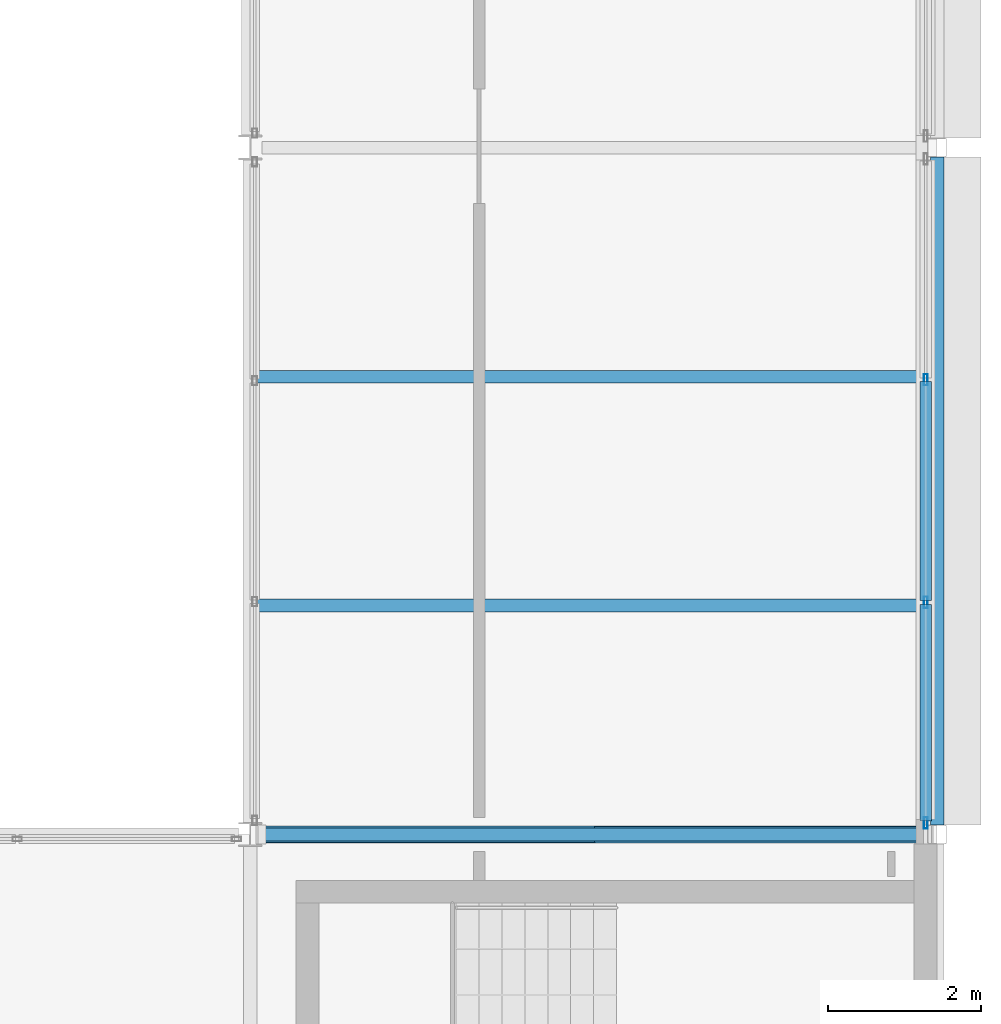
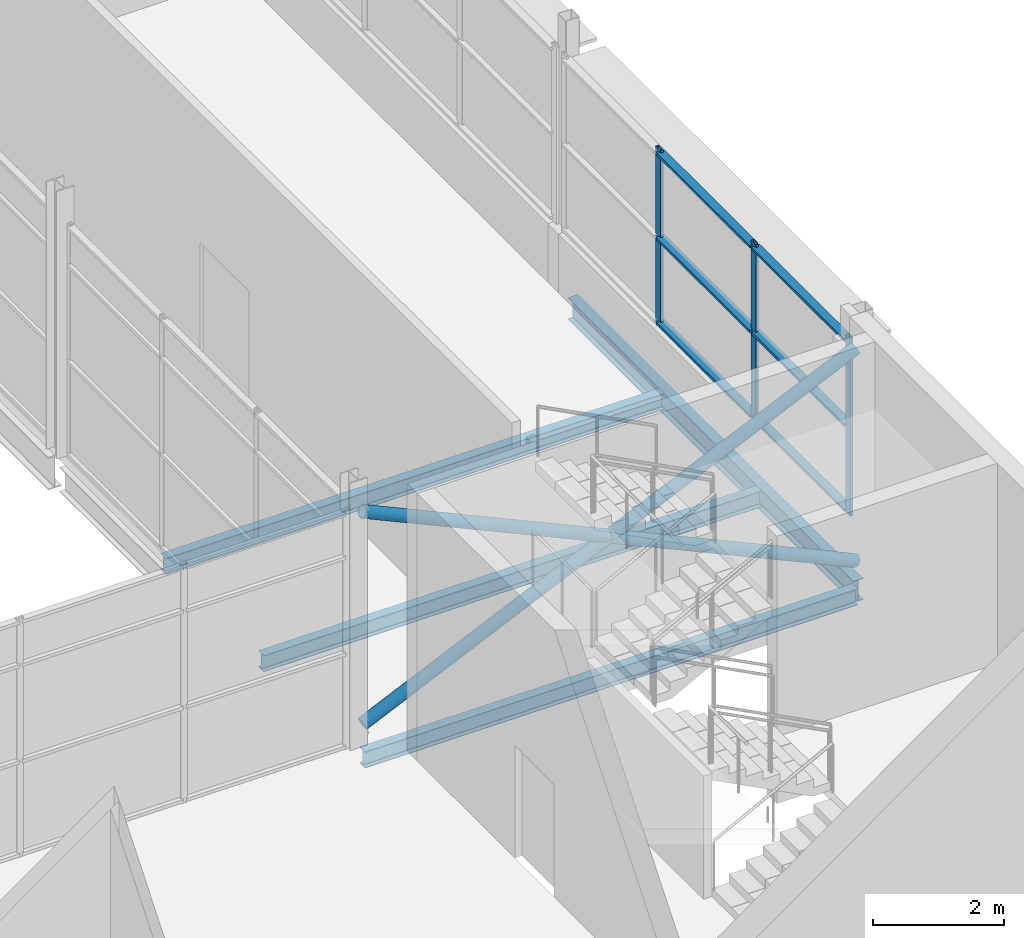
# One storey, part 43 of 94: 11 members, 4 beams, 1 element without a shape of its own.
"""IFC4 building model written with IfcOpenShell, lengths in metres."""

from ifc_helpers import new_model, si_unit, direction, frame, origin, origin_2d, place, context, subcontext, project, spatial, hollow_rectangle, hollow_circle, i_section, extrude, material, layer, layer_set, material_profile, profile_set, type_object, element, aggregate, save


model = new_model("IFC4")

# Units and contexts
model_context = context("Model", 3, precision=1e-05, world=origin(), true_north=direction((0.0, 1.0)))
body_context = subcontext(model_context, "Body", "Model", "MODEL_VIEW")
ifc_project = project(units=[si_unit("LENGTHUNIT", "METRE"), si_unit("AREAUNIT", "SQUARE_METRE"), si_unit("VOLUMEUNIT", "CUBIC_METRE"), si_unit("PLANEANGLEUNIT", "RADIAN"), si_unit("MASSUNIT", "GRAM", prefix="KILO")], contexts=[model_context])

# Site, building, storey
site_placement = place(None, origin())
site = spatial("IfcSite", under=ifc_project, at=site_placement, CompositionType="ELEMENT")
building_placement = place(site_placement, origin())
building = spatial("IfcBuilding", under=site, at=building_placement, Name="Shorebreak Coast Museum", CompositionType="ELEMENT")
storey_placement = place(building_placement, frame((0.0, 0.0, 31.0)))
storey = spatial("IfcBuildingStorey", under=building, at=storey_placement, Name="L05", CompositionType="ELEMENT", Elevation=31.0)

# Beams
ifc_material_1 = material(Name="Steel Grade 300", Category="steel")
ifc_material_profile_1 = material_profile(ifc_material_1, i_section(OverallWidth=0.166015625, OverallDepth=0.30712890625, WebThickness=0.006591796875, FlangeThickness=0.01171875, FilletRadius=0.011474609375, at=origin_2d()), Name="310UB46.2")
ifc_profile_set_1 = profile_set([ifc_material_profile_1], Name="Steel Grade 300")
beam_type_1 = type_object("IfcBeamType", Name="Floor girder east-west 310UB46.2", PredefinedType="BEAM", material=ifc_profile_set_1)
beam_1_placement = place(storey_placement, frame((108.153564453125, 63.0, -0.32861328125), z_axis=(1.0, 0.0, 0.0), x_axis=(0.0, 1.0, 0.0)))
element("IfcBeam", 1, at=beam_1_placement, inside=storey, type_object=beam_type_1, Name="Floor girder east-west L05 13H", PredefinedType="BEAM", context=body_context, shape_type="SweptSolid", body=[
    extrude(i_section(OverallWidth=0.166015625, OverallDepth=0.30712890625, WebThickness=0.006591796875, FlangeThickness=0.01171875, FilletRadius=0.011474609375, at=origin_2d()), origin(), (0.0, 0.0, 1.0), 8.721435546875),
])
ifc_material_2 = material(Name="Steel Grade 300", Category="steel")
ifc_material_profile_2 = material_profile(ifc_material_2, i_section(OverallWidth=0.177978515625, OverallDepth=0.406494140625, WebThickness=0.0078125, FlangeThickness=0.0126953125, FilletRadius=0.011474609375, at=origin_2d()), Name="410UB59.7")
ifc_profile_set_2 = profile_set([ifc_material_profile_2], Name="Steel Grade 300")
beam_type_2 = type_object("IfcBeamType", Name="Floor girder north-south 410UB59.7", PredefinedType="BEAM", material=ifc_profile_set_2)
beam_2_placement = place(storey_placement, frame((117.0, 63.125, -0.378173828125), z_axis=(0.0, 1.0, 0.0), x_axis=(-1.0, 0.0, 0.0)))
element("IfcBeam", 2, at=beam_2_placement, inside=storey, type_object=beam_type_2, Name="Floor girder north-south L05 14H", PredefinedType="BEAM", context=body_context, shape_type="SweptSolid", body=[
    extrude(i_section(OverallWidth=0.177978515625, OverallDepth=0.406494140625, WebThickness=0.0078125, FlangeThickness=0.0126953125, FilletRadius=0.011474609375, at=origin_2d()), origin(), (0.0, 0.0, 1.0), 8.75),
])
ifc_material_3 = material(Name="Steel Grade 300", Category="steel")
ifc_material_profile_3 = material_profile(ifc_material_3, i_section(OverallWidth=0.1650390625, OverallDepth=0.303955078125, WebThickness=0.006103515625, FlangeThickness=0.01025390625, FilletRadius=0.011474609375, at=origin_2d()), Name="310UB40.4")
ifc_profile_set_3 = profile_set([ifc_material_profile_3], Name="Steel Grade 300")
beam_type_3 = type_object("IfcBeamType", Name="Floor joist 310UB40.4", PredefinedType="JOIST", material=ifc_profile_set_3)
for number, where, z_axis, x_axis, name in (
    (3, (108.095458984375, 66.0, -0.326904296875), (1.0, 0.0, 0.0), (0.0, 1.0, 0.0), "Floor joist L05 bay 13H at 3000 mm"),
    (4, (108.095458984375, 69.0, -0.326904296875), (1.0, 0.0, 0.0), (0.0, 1.0, 0.0), "Floor joist L05 bay 13H at 6000 mm"),
):
    element("IfcBeam", number, at=place(storey_placement, frame(where, z_axis=z_axis, x_axis=x_axis)), inside=storey, type_object=beam_type_3, Name=name, PredefinedType="JOIST", context=body_context, shape_type="SweptSolid", body=[
        extrude(i_section(OverallWidth=0.1650390625, OverallDepth=0.303955078125, WebThickness=0.006103515625, FlangeThickness=0.01025390625, FilletRadius=0.011474609375, at=origin_2d()), origin(), (0.0, 0.0, 1.0), 8.8154296875),
    ])

# Curtain wall, members
ifc_material_4 = material(Name="Aluminium", Category="aluminium")
ifc_layer = layer(ifc_material_4, 0.14990234375)
ifc_layer_set = layer_set([ifc_layer], Name="Aluminium")
curtain_wall_type = type_object("IfcCurtainWallType", Name="Storefront curtain wall", PredefinedType="NOTDEFINED", material=ifc_layer_set)
curtain_wall_placement = place(storey_placement, origin())
curtain_wall = element("IfcCurtainWall", 5, at=curtain_wall_placement, inside=storey, type_object=curtain_wall_type, Name="Atrium Hall glazing L05 E 11", PredefinedType="NOTDEFINED")
ifc_material_5 = material(Name="Aluminium", Category="aluminium")
ifc_material_profile_4 = material_profile(ifc_material_5, hollow_rectangle(XDim=0.050048828125, YDim=0.14990234375, WallThickness=0.00390625, at=origin_2d()), Name="AL 150x50 RHS")
ifc_profile_set_4 = profile_set([ifc_material_profile_4], Name="Aluminium")
member_type_1 = type_object("IfcMemberType", Name="Storefront mullion 50 x 150", PredefinedType="MULLION", material=ifc_profile_set_4)
member_1_placement = place(storey_placement, frame((116.85009765625, 63.14990234375, 1.10009765625), z_axis=(0.0, 0.0, 1.0), x_axis=(-1.0, 0.0, 0.0)))
member_1 = element("IfcMember", 6, at=member_1_placement, type_object=member_type_1, Name="CW5 mullion 1", PredefinedType="MULLION", context=body_context, shape_type="SweptSolid", body=[
    extrude(hollow_rectangle(XDim=0.050048828125, YDim=0.14990234375, WallThickness=0.00390625, at=origin_2d()), origin(), (0.0, 0.0, 1.0), 3.318603515625),
])
member_2_placement = place(storey_placement, frame((116.85009765625, 66.041748046875, 1.10009765625), z_axis=(0.0, 0.0, 1.0), x_axis=(-1.0, 0.0, 0.0)))
member_2 = element("IfcMember", 7, at=member_2_placement, type_object=member_type_1, Name="CW5 mullion 2", PredefinedType="MULLION", context=body_context, shape_type="SweptSolid", body=[
    extrude(hollow_rectangle(XDim=0.050048828125, YDim=0.14990234375, WallThickness=0.00390625, at=origin_2d()), origin(), (0.0, 0.0, 1.0), 3.318603515625),
])
member_3_placement = place(storey_placement, frame((116.85009765625, 68.958251953125, 1.10009765625), z_axis=(0.0, 0.0, 1.0), x_axis=(-1.0, 0.0, 0.0)))
member_3 = element("IfcMember", 8, at=member_3_placement, type_object=member_type_1, Name="CW5 mullion 3", PredefinedType="MULLION", context=body_context, shape_type="SweptSolid", body=[
    extrude(hollow_rectangle(XDim=0.050048828125, YDim=0.14990234375, WallThickness=0.00390625, at=origin_2d()), origin(), (0.0, 0.0, 1.0), 3.318603515625),
])
ifc_material_6 = material(Name="Aluminium", Category="aluminium")
ifc_material_profile_5 = material_profile(ifc_material_6, hollow_rectangle(XDim=0.14990234375, YDim=0.050048828125, WallThickness=0.00390625, at=origin_2d()), Name="AL 50x150 RHS")
ifc_profile_set_5 = profile_set([ifc_material_profile_5], Name="Aluminium")
member_type_2 = type_object("IfcMemberType", Name="Storefront transom 150 x 50", PredefinedType="USERDEFINED", material=ifc_profile_set_5)
member_4_placement = place(storey_placement, frame((116.85009765625, 63.175048828125, 1.175048828125), z_axis=(0.0, 1.0, 0.0), x_axis=(-1.0, 0.0, 0.0)))
member_4 = element("IfcMember", 9, at=member_4_placement, type_object=member_type_2, Name="CW5 transom 1.1", ObjectType="TRANSOM", PredefinedType="USERDEFINED", context=body_context, shape_type="SweptSolid", body=[
    extrude(hollow_rectangle(XDim=0.14990234375, YDim=0.050048828125, WallThickness=0.00390625, at=origin_2d()), origin(), (0.0, 0.0, 1.0), 2.841552734375),
])
member_5_placement = place(storey_placement, frame((116.85009765625, 63.175048828125, 2.75927734375), z_axis=(0.0, 1.0, 0.0), x_axis=(-1.0, 0.0, 0.0)))
member_5 = element("IfcMember", 10, at=member_5_placement, type_object=member_type_2, Name="CW5 transom 1.2", ObjectType="TRANSOM", PredefinedType="USERDEFINED", context=body_context, shape_type="SweptSolid", body=[
    extrude(hollow_rectangle(XDim=0.14990234375, YDim=0.050048828125, WallThickness=0.00390625, at=origin_2d()), origin(), (0.0, 0.0, 1.0), 2.841552734375),
])
member_6_placement = place(storey_placement, frame((116.85009765625, 63.175048828125, 4.343505859375), z_axis=(0.0, 1.0, 0.0), x_axis=(-1.0, 0.0, 0.0)))
member_6 = element("IfcMember", 11, at=member_6_placement, type_object=member_type_2, Name="CW5 transom 1.3", ObjectType="TRANSOM", PredefinedType="USERDEFINED", context=body_context, shape_type="SweptSolid", body=[
    extrude(hollow_rectangle(XDim=0.14990234375, YDim=0.050048828125, WallThickness=0.00390625, at=origin_2d()), origin(), (0.0, 0.0, 1.0), 2.841552734375),
])
member_7_placement = place(storey_placement, frame((116.85009765625, 66.066650390625, 1.175048828125), z_axis=(0.0, 1.0, 0.0), x_axis=(-1.0, 0.0, 0.0)))
member_7 = element("IfcMember", 12, at=member_7_placement, type_object=member_type_2, Name="CW5 transom 2.1", ObjectType="TRANSOM", PredefinedType="USERDEFINED", context=body_context, shape_type="SweptSolid", body=[
    extrude(hollow_rectangle(XDim=0.14990234375, YDim=0.050048828125, WallThickness=0.00390625, at=origin_2d()), origin(), (0.0, 0.0, 1.0), 2.86669921875),
])
member_8_placement = place(storey_placement, frame((116.85009765625, 66.066650390625, 2.75927734375), z_axis=(0.0, 1.0, 0.0), x_axis=(-1.0, 0.0, 0.0)))
member_8 = element("IfcMember", 13, at=member_8_placement, type_object=member_type_2, Name="CW5 transom 2.2", ObjectType="TRANSOM", PredefinedType="USERDEFINED", context=body_context, shape_type="SweptSolid", body=[
    extrude(hollow_rectangle(XDim=0.14990234375, YDim=0.050048828125, WallThickness=0.00390625, at=origin_2d()), origin(), (0.0, 0.0, 1.0), 2.86669921875),
])
member_9_placement = place(storey_placement, frame((116.85009765625, 66.066650390625, 4.343505859375), z_axis=(0.0, 1.0, 0.0), x_axis=(-1.0, 0.0, 0.0)))
member_9 = element("IfcMember", 14, at=member_9_placement, type_object=member_type_2, Name="CW5 transom 2.3", ObjectType="TRANSOM", PredefinedType="USERDEFINED", context=body_context, shape_type="SweptSolid", body=[
    extrude(hollow_rectangle(XDim=0.14990234375, YDim=0.050048828125, WallThickness=0.00390625, at=origin_2d()), origin(), (0.0, 0.0, 1.0), 2.86669921875),
])
aggregate(curtain_wall, [member_1, member_2, member_3, member_4, member_5, member_6, member_7, member_8, member_9])

# Members
ifc_material_7 = material(Name="Steel Grade C350L0", Category="steel")
ifc_material_profile_6 = material_profile(ifc_material_7, hollow_circle(Radius=0.109619140625, WallThickness=0.00830078125, at=origin_2d()), Name="219.1x8.2 CHS")
ifc_profile_set_6 = profile_set([ifc_material_profile_6], Name="Steel Grade C350L0")
member_type_3 = type_object("IfcMemberType", Name="X-brace 219.1x8.2 CHS", PredefinedType="BRACE", material=ifc_profile_set_6)
for number, where, z_axis, x_axis, name in (
    (15, (108.153564453125, 63.0, 0.300048828125), (0.909950784, 0.0, 0.414716253235), (0.0, 1.0, 0.0), "X-brace bay 02 L05 diagonal 1"),
    (16, (116.875, 63.0, 0.300048828125), (-0.909950784, 0.0, 0.414716253235), (0.0, -1.0, 0.0), "X-brace bay 02 L05 diagonal 2"),
):
    element("IfcMember", number, at=place(storey_placement, frame(where, z_axis=z_axis, x_axis=x_axis)), inside=storey, type_object=member_type_3, Name=name, PredefinedType="BRACE", context=body_context, shape_type="SweptSolid", body=[
        extrude(hollow_circle(Radius=0.109619140625, WallThickness=0.00830078125, at=origin_2d()), origin(), (0.0, 0.0, 1.0), 9.58447265625),
    ])

save(model, "model.ifc")
